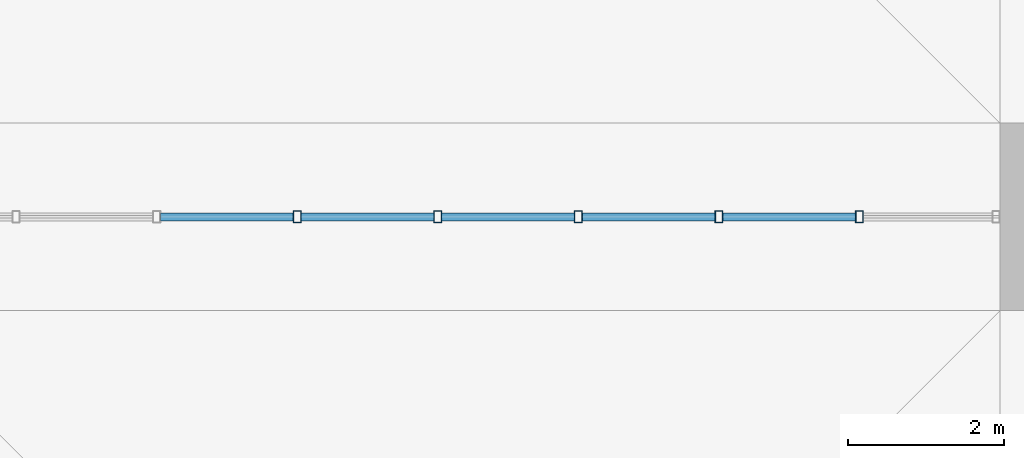
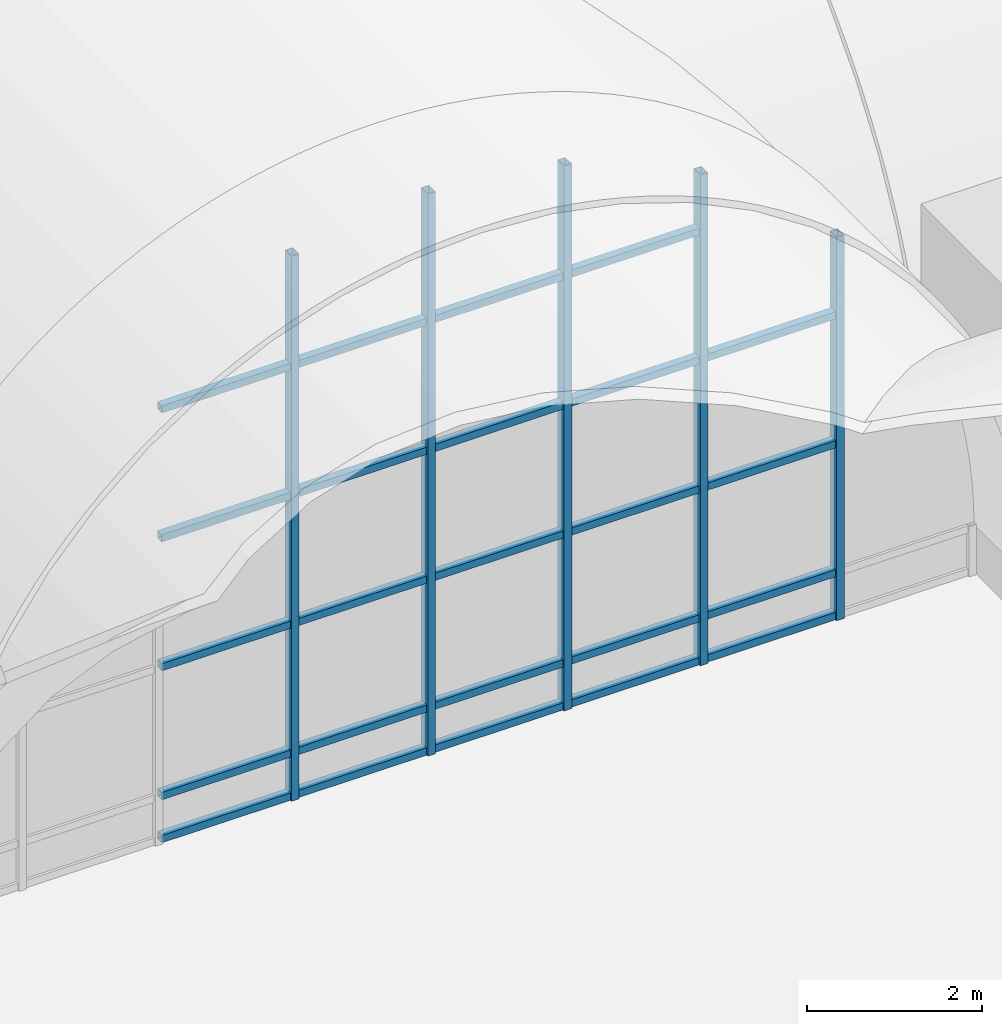
# One storey, part 38 of 169: 29 members, 1 element without a shape of its own.
"""IFC4 building model written with IfcOpenShell, lengths in metres."""

from ifc_helpers import new_model, si_unit, direction, frame, origin, origin_2d, place, context, subcontext, project, spatial, hollow_rectangle, extrude, material, layer, layer_set, material_profile, profile_set, type_object, element, aggregate, save


model = new_model("IFC4")

# Units and contexts
model_context = context("Model", 3, precision=1e-05, world=origin(), true_north=direction((0.0, 1.0)))
body_context = subcontext(model_context, "Body", "Model", "MODEL_VIEW")
ifc_project = project(units=[si_unit("LENGTHUNIT", "METRE"), si_unit("AREAUNIT", "SQUARE_METRE"), si_unit("VOLUMEUNIT", "CUBIC_METRE"), si_unit("PLANEANGLEUNIT", "RADIAN"), si_unit("MASSUNIT", "GRAM", prefix="KILO")], contexts=[model_context])

# Site, building, storey
site_placement = place(None, origin())
site = spatial("IfcSite", under=ifc_project, at=site_placement, CompositionType="ELEMENT")
building_placement = place(site_placement, origin())
building = spatial("IfcBuilding", under=site, at=building_placement, Name="Verrick Yard Athletic Hall", CompositionType="ELEMENT")
storey_placement = place(building_placement, frame((0.0, 0.0, 4.39990234375)))
storey = spatial("IfcBuildingStorey", under=building, at=storey_placement, Name="L01", CompositionType="ELEMENT", Elevation=4.39990234375)

# Curtain wall, members
ifc_material_1 = material(Name="Aluminium and glass curtain wall", Category="aluminium")
ifc_layer = layer(ifc_material_1, 0.14990234375)
ifc_layer_set = layer_set([ifc_layer], Name="Concourse arch screen")
curtain_wall_type = type_object("IfcCurtainWallType", Name="Concourse arch screen", PredefinedType="NOTDEFINED", material=ifc_layer_set)
curtain_wall_placement = place(storey_placement, origin())
curtain_wall = element("IfcCurtainWall", 1, at=curtain_wall_placement, inside=storey, type_object=curtain_wall_type, Name="Concourse screen 6", PredefinedType="NOTDEFINED")
ifc_material_2 = material(Name="Structural steel HSS Class C 350W (CSA G40.20/G40.21)", Category="steel")
ifc_material_profile_1 = material_profile(ifc_material_2, hollow_rectangle(XDim=0.1015625, YDim=0.15234375, WallThickness=0.008056640625, at=origin_2d()), Name="HSS152x102x7.9")
ifc_profile_set_1 = profile_set([ifc_material_profile_1], Name="Structural steel HSS Class C 350W (CSA G40.20/G40.21)")
member_type_1 = type_object("IfcMemberType", Name="Curtain wall mullion HSS152x102x7.9", PredefinedType="MULLION", material=ifc_profile_set_1)
member_1_placement = place(storey_placement, frame((130.60009765625, 36.0, 0.0), z_axis=(0.0, 0.0, 1.0), x_axis=(1.0, 0.0, 0.0)))
member_1 = element("IfcMember", 2, at=member_1_placement, type_object=member_type_1, Name="Concourse screen 6 mullion 4", PredefinedType="MULLION", context=body_context, shape_type="SweptSolid", body=[
    extrude(hollow_rectangle(XDim=0.1015625, YDim=0.15234375, WallThickness=0.008056640625, at=origin_2d()), origin(), (0.0, 0.0, 1.0), 7.607666015625),
])
member_2_placement = place(storey_placement, frame((132.39990234375, 36.0, 0.0), z_axis=(0.0, 0.0, 1.0), x_axis=(1.0, 0.0, 0.0)))
member_2 = element("IfcMember", 3, at=member_2_placement, type_object=member_type_1, Name="Concourse screen 6 mullion 5", PredefinedType="MULLION", context=body_context, shape_type="SweptSolid", body=[
    extrude(hollow_rectangle(XDim=0.1015625, YDim=0.15234375, WallThickness=0.008056640625, at=origin_2d()), origin(), (0.0, 0.0, 1.0), 7.8486328125),
])
member_3_placement = place(storey_placement, frame((134.199951171875, 36.0, 0.0), z_axis=(0.0, 0.0, 1.0), x_axis=(1.0, 0.0, 0.0)))
member_3 = element("IfcMember", 4, at=member_3_placement, type_object=member_type_1, Name="Concourse screen 6 mullion 6", PredefinedType="MULLION", context=body_context, shape_type="SweptSolid", body=[
    extrude(hollow_rectangle(XDim=0.1015625, YDim=0.15234375, WallThickness=0.008056640625, at=origin_2d()), origin(), (0.0, 0.0, 1.0), 7.607666015625),
])
member_4_placement = place(storey_placement, frame((136.0, 36.0, 0.0), z_axis=(0.0, 0.0, 1.0), x_axis=(1.0, 0.0, 0.0)))
member_4 = element("IfcMember", 5, at=member_4_placement, type_object=member_type_1, Name="Concourse screen 6 mullion 7", PredefinedType="MULLION", context=body_context, shape_type="SweptSolid", body=[
    extrude(hollow_rectangle(XDim=0.1015625, YDim=0.15234375, WallThickness=0.008056640625, at=origin_2d()), origin(), (0.0, 0.0, 1.0), 6.8544921875),
])
member_5_placement = place(storey_placement, frame((137.800048828125, 36.0, 0.0), z_axis=(0.0, 0.0, 1.0), x_axis=(1.0, 0.0, 0.0)))
member_5 = element("IfcMember", 6, at=member_5_placement, type_object=member_type_1, Name="Concourse screen 6 mullion 8", PredefinedType="MULLION", context=body_context, shape_type="SweptSolid", body=[
    extrude(hollow_rectangle(XDim=0.1015625, YDim=0.15234375, WallThickness=0.008056640625, at=origin_2d()), origin(), (0.0, 0.0, 1.0), 5.351806640625),
])
ifc_material_profile_2 = material_profile(ifc_material_2, hollow_rectangle(XDim=0.1015625, YDim=0.1015625, WallThickness=0.00634765625, at=origin_2d()), Name="HSS102x102x6.4")
ifc_profile_set_2 = profile_set([ifc_material_profile_2], Name="Structural steel HSS Class C 350W (CSA G40.20/G40.21)")
member_type_2 = type_object("IfcMemberType", Name="Curtain wall transom HSS102x102x6.4", PredefinedType="USERDEFINED", material=ifc_profile_set_2)
member_6_placement = place(storey_placement, frame((128.850830078125, 36.0, 0.05078125), z_axis=(1.0, 0.0, 0.0), x_axis=(0.0, 1.0, 0.0)))
member_6 = element("IfcMember", 7, at=member_6_placement, type_object=member_type_2, Name="Concourse screen 6 transom 7", ObjectType="TRANSOM", PredefinedType="USERDEFINED", context=body_context, shape_type="SweptSolid", body=[
    extrude(hollow_rectangle(XDim=0.1015625, YDim=0.1015625, WallThickness=0.00634765625, at=origin_2d()), origin(), (0.0, 0.0, 1.0), 1.698486328125),
])
member_7_placement = place(storey_placement, frame((128.850830078125, 36.0, 0.650146484375), z_axis=(1.0, 0.0, 0.0), x_axis=(0.0, 1.0, 0.0)))
member_7 = element("IfcMember", 8, at=member_7_placement, type_object=member_type_2, Name="Concourse screen 6 transom 8", ObjectType="TRANSOM", PredefinedType="USERDEFINED", context=body_context, shape_type="SweptSolid", body=[
    extrude(hollow_rectangle(XDim=0.1015625, YDim=0.1015625, WallThickness=0.00634765625, at=origin_2d()), origin(), (0.0, 0.0, 1.0), 1.698486328125),
])
member_8_placement = place(storey_placement, frame((128.850830078125, 36.0, 2.4501953125), z_axis=(1.0, 0.0, 0.0), x_axis=(0.0, 1.0, 0.0)))
member_8 = element("IfcMember", 9, at=member_8_placement, type_object=member_type_2, Name="Concourse screen 6 transom 9", ObjectType="TRANSOM", PredefinedType="USERDEFINED", context=body_context, shape_type="SweptSolid", body=[
    extrude(hollow_rectangle(XDim=0.1015625, YDim=0.1015625, WallThickness=0.00634765625, at=origin_2d()), origin(), (0.0, 0.0, 1.0), 1.698486328125),
])
member_9_placement = place(storey_placement, frame((128.850830078125, 36.0, 4.25), z_axis=(1.0, 0.0, 0.0), x_axis=(0.0, 1.0, 0.0)))
member_9 = element("IfcMember", 10, at=member_9_placement, type_object=member_type_2, Name="Concourse screen 6 transom 10", ObjectType="TRANSOM", PredefinedType="USERDEFINED", context=body_context, shape_type="SweptSolid", body=[
    extrude(hollow_rectangle(XDim=0.1015625, YDim=0.1015625, WallThickness=0.00634765625, at=origin_2d()), origin(), (0.0, 0.0, 1.0), 1.698486328125),
])
member_10_placement = place(storey_placement, frame((128.850830078125, 36.0, 6.050048828125), z_axis=(1.0, 0.0, 0.0), x_axis=(0.0, 1.0, 0.0)))
member_10 = element("IfcMember", 11, at=member_10_placement, type_object=member_type_2, Name="Concourse screen 6 transom 11", ObjectType="TRANSOM", PredefinedType="USERDEFINED", context=body_context, shape_type="SweptSolid", body=[
    extrude(hollow_rectangle(XDim=0.1015625, YDim=0.1015625, WallThickness=0.00634765625, at=origin_2d()), origin(), (0.0, 0.0, 1.0), 1.698486328125),
])
member_11_placement = place(storey_placement, frame((130.65087890625, 36.0, 0.05078125), z_axis=(1.0, 0.0, 0.0), x_axis=(0.0, 1.0, 0.0)))
member_11 = element("IfcMember", 12, at=member_11_placement, type_object=member_type_2, Name="Concourse screen 6 transom 12", ObjectType="TRANSOM", PredefinedType="USERDEFINED", context=body_context, shape_type="SweptSolid", body=[
    extrude(hollow_rectangle(XDim=0.1015625, YDim=0.1015625, WallThickness=0.00634765625, at=origin_2d()), origin(), (0.0, 0.0, 1.0), 1.6982421875),
])
member_12_placement = place(storey_placement, frame((130.65087890625, 36.0, 0.650146484375), z_axis=(1.0, 0.0, 0.0), x_axis=(0.0, 1.0, 0.0)))
member_12 = element("IfcMember", 13, at=member_12_placement, type_object=member_type_2, Name="Concourse screen 6 transom 13", ObjectType="TRANSOM", PredefinedType="USERDEFINED", context=body_context, shape_type="SweptSolid", body=[
    extrude(hollow_rectangle(XDim=0.1015625, YDim=0.1015625, WallThickness=0.00634765625, at=origin_2d()), origin(), (0.0, 0.0, 1.0), 1.6982421875),
])
member_13_placement = place(storey_placement, frame((130.65087890625, 36.0, 2.4501953125), z_axis=(1.0, 0.0, 0.0), x_axis=(0.0, 1.0, 0.0)))
member_13 = element("IfcMember", 14, at=member_13_placement, type_object=member_type_2, Name="Concourse screen 6 transom 14", ObjectType="TRANSOM", PredefinedType="USERDEFINED", context=body_context, shape_type="SweptSolid", body=[
    extrude(hollow_rectangle(XDim=0.1015625, YDim=0.1015625, WallThickness=0.00634765625, at=origin_2d()), origin(), (0.0, 0.0, 1.0), 1.6982421875),
])
member_14_placement = place(storey_placement, frame((130.65087890625, 36.0, 4.25), z_axis=(1.0, 0.0, 0.0), x_axis=(0.0, 1.0, 0.0)))
member_14 = element("IfcMember", 15, at=member_14_placement, type_object=member_type_2, Name="Concourse screen 6 transom 15", ObjectType="TRANSOM", PredefinedType="USERDEFINED", context=body_context, shape_type="SweptSolid", body=[
    extrude(hollow_rectangle(XDim=0.1015625, YDim=0.1015625, WallThickness=0.00634765625, at=origin_2d()), origin(), (0.0, 0.0, 1.0), 1.6982421875),
])
member_15_placement = place(storey_placement, frame((130.65087890625, 36.0, 6.050048828125), z_axis=(1.0, 0.0, 0.0), x_axis=(0.0, 1.0, 0.0)))
member_15 = element("IfcMember", 16, at=member_15_placement, type_object=member_type_2, Name="Concourse screen 6 transom 16", ObjectType="TRANSOM", PredefinedType="USERDEFINED", context=body_context, shape_type="SweptSolid", body=[
    extrude(hollow_rectangle(XDim=0.1015625, YDim=0.1015625, WallThickness=0.00634765625, at=origin_2d()), origin(), (0.0, 0.0, 1.0), 1.6982421875),
])
member_16_placement = place(storey_placement, frame((132.45068359375, 36.0, 0.05078125), z_axis=(1.0, 0.0, 0.0), x_axis=(0.0, 1.0, 0.0)))
member_16 = element("IfcMember", 17, at=member_16_placement, type_object=member_type_2, Name="Concourse screen 6 transom 17", ObjectType="TRANSOM", PredefinedType="USERDEFINED", context=body_context, shape_type="SweptSolid", body=[
    extrude(hollow_rectangle(XDim=0.1015625, YDim=0.1015625, WallThickness=0.00634765625, at=origin_2d()), origin(), (0.0, 0.0, 1.0), 1.698486328125),
])
member_17_placement = place(storey_placement, frame((132.45068359375, 36.0, 0.650146484375), z_axis=(1.0, 0.0, 0.0), x_axis=(0.0, 1.0, 0.0)))
member_17 = element("IfcMember", 18, at=member_17_placement, type_object=member_type_2, Name="Concourse screen 6 transom 18", ObjectType="TRANSOM", PredefinedType="USERDEFINED", context=body_context, shape_type="SweptSolid", body=[
    extrude(hollow_rectangle(XDim=0.1015625, YDim=0.1015625, WallThickness=0.00634765625, at=origin_2d()), origin(), (0.0, 0.0, 1.0), 1.698486328125),
])
member_18_placement = place(storey_placement, frame((132.45068359375, 36.0, 2.4501953125), z_axis=(1.0, 0.0, 0.0), x_axis=(0.0, 1.0, 0.0)))
member_18 = element("IfcMember", 19, at=member_18_placement, type_object=member_type_2, Name="Concourse screen 6 transom 19", ObjectType="TRANSOM", PredefinedType="USERDEFINED", context=body_context, shape_type="SweptSolid", body=[
    extrude(hollow_rectangle(XDim=0.1015625, YDim=0.1015625, WallThickness=0.00634765625, at=origin_2d()), origin(), (0.0, 0.0, 1.0), 1.698486328125),
])
member_19_placement = place(storey_placement, frame((132.45068359375, 36.0, 4.25), z_axis=(1.0, 0.0, 0.0), x_axis=(0.0, 1.0, 0.0)))
member_19 = element("IfcMember", 20, at=member_19_placement, type_object=member_type_2, Name="Concourse screen 6 transom 20", ObjectType="TRANSOM", PredefinedType="USERDEFINED", context=body_context, shape_type="SweptSolid", body=[
    extrude(hollow_rectangle(XDim=0.1015625, YDim=0.1015625, WallThickness=0.00634765625, at=origin_2d()), origin(), (0.0, 0.0, 1.0), 1.698486328125),
])
member_20_placement = place(storey_placement, frame((132.45068359375, 36.0, 6.050048828125), z_axis=(1.0, 0.0, 0.0), x_axis=(0.0, 1.0, 0.0)))
member_20 = element("IfcMember", 21, at=member_20_placement, type_object=member_type_2, Name="Concourse screen 6 transom 21", ObjectType="TRANSOM", PredefinedType="USERDEFINED", context=body_context, shape_type="SweptSolid", body=[
    extrude(hollow_rectangle(XDim=0.1015625, YDim=0.1015625, WallThickness=0.00634765625, at=origin_2d()), origin(), (0.0, 0.0, 1.0), 1.698486328125),
])
member_21_placement = place(storey_placement, frame((134.250732421875, 36.0, 0.05078125), z_axis=(1.0, 0.0, 0.0), x_axis=(0.0, 1.0, 0.0)))
member_21 = element("IfcMember", 22, at=member_21_placement, type_object=member_type_2, Name="Concourse screen 6 transom 22", ObjectType="TRANSOM", PredefinedType="USERDEFINED", context=body_context, shape_type="SweptSolid", body=[
    extrude(hollow_rectangle(XDim=0.1015625, YDim=0.1015625, WallThickness=0.00634765625, at=origin_2d()), origin(), (0.0, 0.0, 1.0), 1.698486328125),
])
member_22_placement = place(storey_placement, frame((134.250732421875, 36.0, 0.650146484375), z_axis=(1.0, 0.0, 0.0), x_axis=(0.0, 1.0, 0.0)))
member_22 = element("IfcMember", 23, at=member_22_placement, type_object=member_type_2, Name="Concourse screen 6 transom 23", ObjectType="TRANSOM", PredefinedType="USERDEFINED", context=body_context, shape_type="SweptSolid", body=[
    extrude(hollow_rectangle(XDim=0.1015625, YDim=0.1015625, WallThickness=0.00634765625, at=origin_2d()), origin(), (0.0, 0.0, 1.0), 1.698486328125),
])
member_23_placement = place(storey_placement, frame((134.250732421875, 36.0, 2.4501953125), z_axis=(1.0, 0.0, 0.0), x_axis=(0.0, 1.0, 0.0)))
member_23 = element("IfcMember", 24, at=member_23_placement, type_object=member_type_2, Name="Concourse screen 6 transom 24", ObjectType="TRANSOM", PredefinedType="USERDEFINED", context=body_context, shape_type="SweptSolid", body=[
    extrude(hollow_rectangle(XDim=0.1015625, YDim=0.1015625, WallThickness=0.00634765625, at=origin_2d()), origin(), (0.0, 0.0, 1.0), 1.698486328125),
])
member_24_placement = place(storey_placement, frame((134.250732421875, 36.0, 4.25), z_axis=(1.0, 0.0, 0.0), x_axis=(0.0, 1.0, 0.0)))
member_24 = element("IfcMember", 25, at=member_24_placement, type_object=member_type_2, Name="Concourse screen 6 transom 25", ObjectType="TRANSOM", PredefinedType="USERDEFINED", context=body_context, shape_type="SweptSolid", body=[
    extrude(hollow_rectangle(XDim=0.1015625, YDim=0.1015625, WallThickness=0.00634765625, at=origin_2d()), origin(), (0.0, 0.0, 1.0), 1.698486328125),
])
member_25_placement = place(storey_placement, frame((134.250732421875, 36.0, 6.050048828125), z_axis=(1.0, 0.0, 0.0), x_axis=(0.0, 1.0, 0.0)))
member_25 = element("IfcMember", 26, at=member_25_placement, type_object=member_type_2, Name="Concourse screen 6 transom 26", ObjectType="TRANSOM", PredefinedType="USERDEFINED", context=body_context, shape_type="SweptSolid", body=[
    extrude(hollow_rectangle(XDim=0.1015625, YDim=0.1015625, WallThickness=0.00634765625, at=origin_2d()), origin(), (0.0, 0.0, 1.0), 1.698486328125),
])
member_26_placement = place(storey_placement, frame((136.05078125, 36.0, 0.05078125), z_axis=(1.0, 0.0, 0.0), x_axis=(0.0, 1.0, 0.0)))
member_26 = element("IfcMember", 27, at=member_26_placement, type_object=member_type_2, Name="Concourse screen 6 transom 27", ObjectType="TRANSOM", PredefinedType="USERDEFINED", context=body_context, shape_type="SweptSolid", body=[
    extrude(hollow_rectangle(XDim=0.1015625, YDim=0.1015625, WallThickness=0.00634765625, at=origin_2d()), origin(), (0.0, 0.0, 1.0), 1.698486328125),
])
member_27_placement = place(storey_placement, frame((136.05078125, 36.0, 0.650146484375), z_axis=(1.0, 0.0, 0.0), x_axis=(0.0, 1.0, 0.0)))
member_27 = element("IfcMember", 28, at=member_27_placement, type_object=member_type_2, Name="Concourse screen 6 transom 28", ObjectType="TRANSOM", PredefinedType="USERDEFINED", context=body_context, shape_type="SweptSolid", body=[
    extrude(hollow_rectangle(XDim=0.1015625, YDim=0.1015625, WallThickness=0.00634765625, at=origin_2d()), origin(), (0.0, 0.0, 1.0), 1.698486328125),
])
member_28_placement = place(storey_placement, frame((136.05078125, 36.0, 2.4501953125), z_axis=(1.0, 0.0, 0.0), x_axis=(0.0, 1.0, 0.0)))
member_28 = element("IfcMember", 29, at=member_28_placement, type_object=member_type_2, Name="Concourse screen 6 transom 29", ObjectType="TRANSOM", PredefinedType="USERDEFINED", context=body_context, shape_type="SweptSolid", body=[
    extrude(hollow_rectangle(XDim=0.1015625, YDim=0.1015625, WallThickness=0.00634765625, at=origin_2d()), origin(), (0.0, 0.0, 1.0), 1.698486328125),
])
member_29_placement = place(storey_placement, frame((136.05078125, 36.0, 4.25), z_axis=(1.0, 0.0, 0.0), x_axis=(0.0, 1.0, 0.0)))
member_29 = element("IfcMember", 30, at=member_29_placement, type_object=member_type_2, Name="Concourse screen 6 transom 30", ObjectType="TRANSOM", PredefinedType="USERDEFINED", context=body_context, shape_type="SweptSolid", body=[
    extrude(hollow_rectangle(XDim=0.1015625, YDim=0.1015625, WallThickness=0.00634765625, at=origin_2d()), origin(), (0.0, 0.0, 1.0), 1.698486328125),
])
aggregate(curtain_wall, [member_1, member_2, member_3, member_4, member_5, member_6, member_7, member_8, member_9, member_10, member_11, member_12, member_13, member_14, member_15, member_16, member_17, member_18, member_19, member_20, member_21, member_22, member_23, member_24, member_25, member_26, member_27, member_28, member_29])

save(model, "model.ifc")
